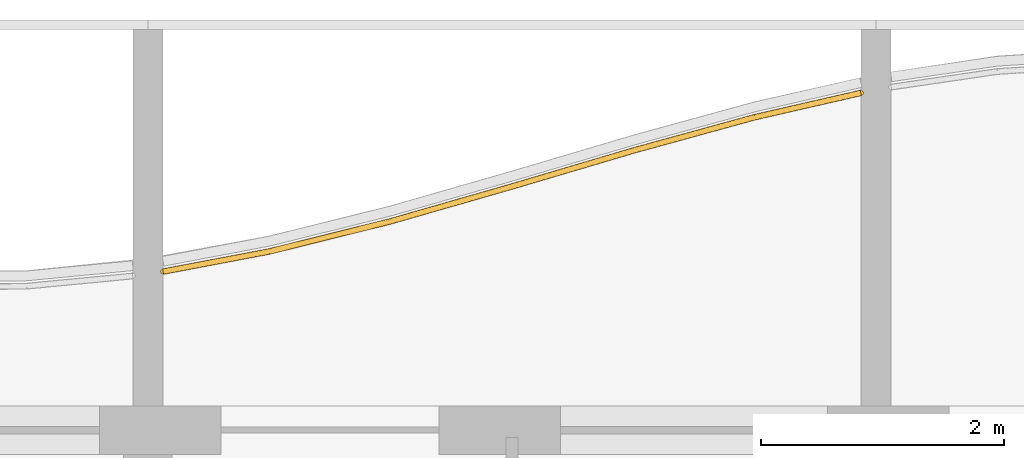
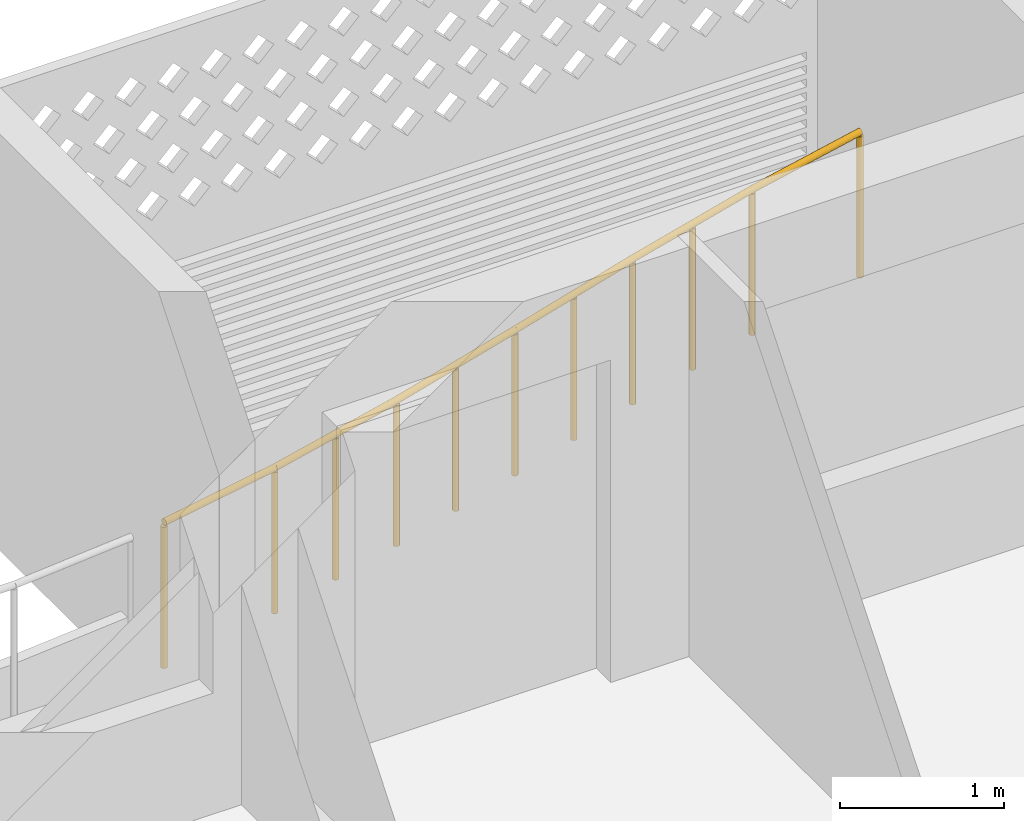
# One storey, part 36 of 39: 1 railing.
"""IFC4 building model written with IfcOpenShell, lengths in metres."""

from ifc_helpers import new_model, si_unit, direction, frame, origin, origin_2d, place, context, subcontext, project, spatial, circle, extrude, material, type_object, element, save


model = new_model("IFC4")

# Units and contexts
model_context = context("Model", 3, precision=1e-05, world=origin(), true_north=direction((0.0, 1.0)))
body_context = subcontext(model_context, "Body", "Model", "MODEL_VIEW")
ifc_project = project(units=[si_unit("LENGTHUNIT", "METRE"), si_unit("AREAUNIT", "SQUARE_METRE"), si_unit("VOLUMEUNIT", "CUBIC_METRE"), si_unit("PLANEANGLEUNIT", "RADIAN"), si_unit("MASSUNIT", "GRAM", prefix="KILO")], contexts=[model_context])

# Site, building, storey
site_placement = place(None, origin())
site = spatial("IfcSite", under=ifc_project, at=site_placement, CompositionType="ELEMENT")
building_placement = place(site_placement, origin())
building = spatial("IfcBuilding", under=site, at=building_placement, Name="Poui Terraces", CompositionType="ELEMENT")
storey_placement = place(building_placement, frame((0.0, 0.0, 59.699951171875)))
storey = spatial("IfcBuildingStorey", under=building, at=storey_placement, Name="L16", CompositionType="ELEMENT", Elevation=59.699951171875)

# Railing
ifc_material = material(Name="Painted steel fretwork", Category="steel")
railing_type = type_object("IfcRailingType", Name="BALCONY GUARD 1100", PredefinedType="GUARDRAIL", material=ifc_material)
railing_placement = place(storey_placement, frame((72.125, 46.106689453125, 0.0)))
element("IfcRailing", 1, at=railing_placement, inside=storey, type_object=railing_type, Name="BALCONY GUARD", PredefinedType="GUARDRAIL", context=body_context, shape_type="SweptSolid", body=[
    extrude(circle(Radius=0.02392578125, at=origin_2d()), frame((0.0, 0.0, 1.076171875), z_axis=(0.98252284804, 0.186142023945, 0.0), x_axis=(-0.186142023945, 0.98252284804, 0.0)), (0.0, 0.0, 1.0), 0.890625),
    extrude(circle(Radius=0.02392578125, at=origin_2d()), frame((0.875, 0.165771484375, 1.076171875), z_axis=(0.970476070643, 0.241197421854, 0.0), x_axis=(-0.241197421854, 0.970476070643, 0.0)), (0.0, 0.0, 1.0), 1.030517578125),
    extrude(circle(Radius=0.02392578125, at=origin_2d()), frame((1.875, 0.414306640625, 1.076171875), z_axis=(0.961168944086, 0.275960614806, 0.0), x_axis=(-0.275960614806, 0.961168944086, 0.0)), (0.0, 0.0, 1.0), 1.040283203125),
    extrude(circle(Radius=0.02392578125, at=origin_2d()), frame((2.875, 0.701416015625, 1.076171875), z_axis=(0.958838249952, 0.283952831346, 0.0), x_axis=(-0.283952831346, 0.958838249952, 0.0)), (0.0, 0.0, 1.0), 1.04296875),
    extrude(circle(Radius=0.02392578125, at=origin_2d()), frame((3.875, 0.99755859375, 1.076171875), z_axis=(0.964289609145, 0.26485005134, 0.0), x_axis=(-0.26485005134, 0.964289609145, 0.0)), (0.0, 0.0, 1.0), 1.037109375),
    extrude(circle(Radius=0.02392578125, at=origin_2d()), frame((4.875, 1.272216796875, 1.076171875), z_axis=(0.974811218774, 0.223031584653, 0.0), x_axis=(-0.223031584653, 0.974811218774, 0.0)), (0.0, 0.0, 1.0), 0.897705078125),
    extrude(circle(Radius=0.02099609375, at=origin_2d()), origin(), (0.0, 0.0, 1.0), 1.052001953125),
    extrude(circle(Radius=0.02099609375, at=origin_2d()), frame((0.875, 0.165771484375, 0.0)), (0.0, 0.0, 1.0), 1.052001953125),
    extrude(circle(Radius=0.02099609375, at=origin_2d()), frame((1.375, 0.2900390625, 0.0)), (0.0, 0.0, 1.0), 1.052001953125),
    extrude(circle(Radius=0.02099609375, at=origin_2d()), frame((1.875, 0.414306640625, 0.0)), (0.0, 0.0, 1.0), 1.052001953125),
    extrude(circle(Radius=0.02099609375, at=origin_2d()), frame((2.375, 0.557861328125, 0.0)), (0.0, 0.0, 1.0), 1.052001953125),
    extrude(circle(Radius=0.02099609375, at=origin_2d()), frame((2.875, 0.701416015625, 0.0)), (0.0, 0.0, 1.0), 1.052001953125),
    extrude(circle(Radius=0.02099609375, at=origin_2d()), frame((3.375, 0.849609375, 0.0)), (0.0, 0.0, 1.0), 1.052001953125),
    extrude(circle(Radius=0.02099609375, at=origin_2d()), frame((3.875, 0.99755859375, 0.0)), (0.0, 0.0, 1.0), 1.052001953125),
    extrude(circle(Radius=0.02099609375, at=origin_2d()), frame((4.375, 1.134765625, 0.0)), (0.0, 0.0, 1.0), 1.052001953125),
    extrude(circle(Radius=0.02099609375, at=origin_2d()), frame((4.875, 1.272216796875, 0.0)), (0.0, 0.0, 1.0), 1.052001953125),
    extrude(circle(Radius=0.02099609375, at=origin_2d()), frame((5.75, 1.472412109375, 0.0)), (0.0, 0.0, 1.0), 1.052001953125),
])

save(model, "model.ifc")
